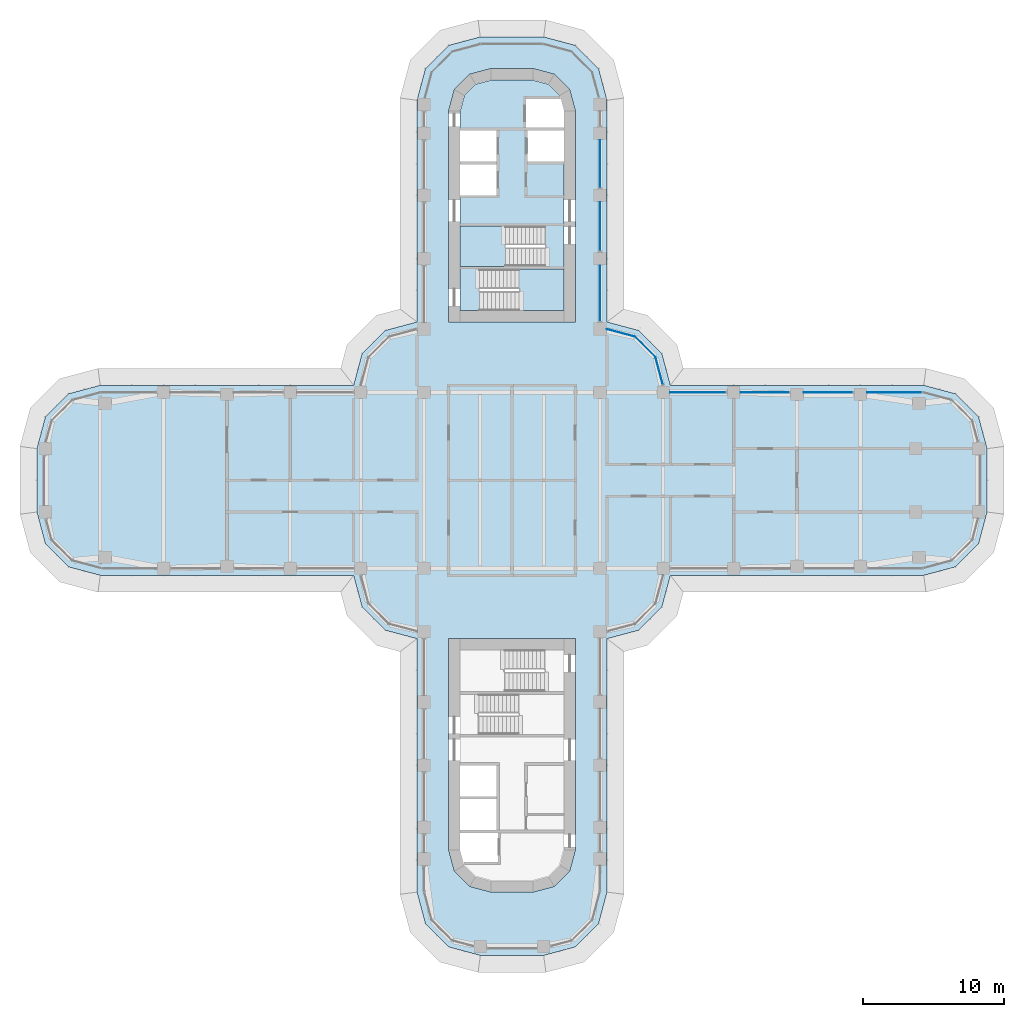
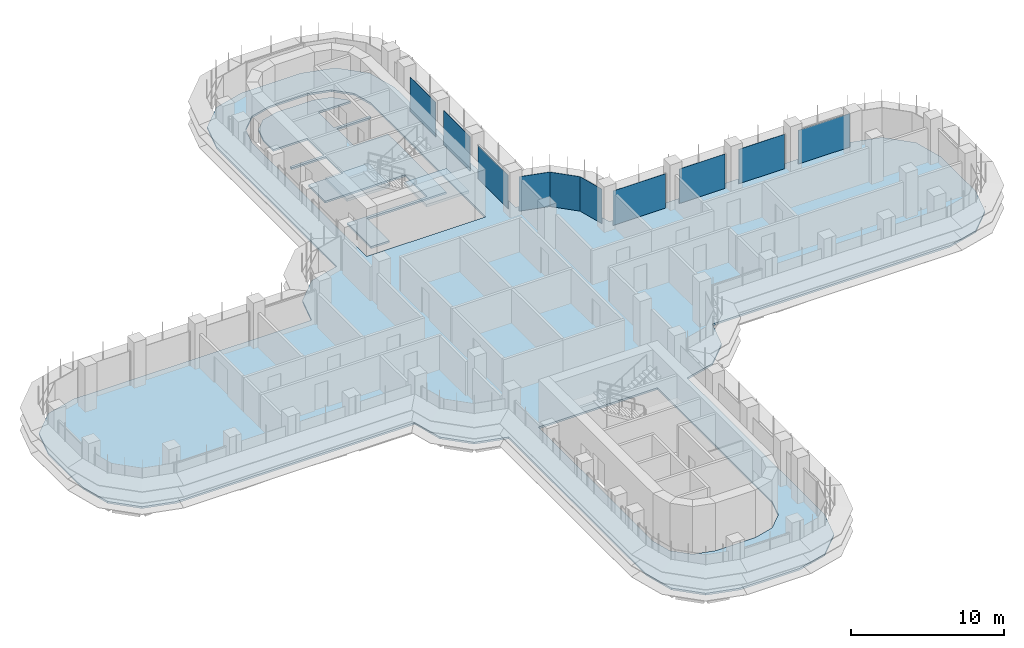
# One storey, part 14 of 22: 10 plates, 4 slabs, 7 elements without a shape of their own.
"""IFC4 building model written with IfcOpenShell, lengths in metres."""

import ifcopenshell
import ifcopenshell.guid

model = None  # the IFC model being written
_history = None  # IfcOwnerHistory: only IFC2X3 demands one
_inside = {}  # id of a spatial element -> (the spatial element, [elements in it])
_under = {}  # id of a project, library or spatial element -> (it, [spatial elements below it])
_declared = {}  # id of a project -> (the project, [libraries it declares])
_typed = {}  # id of a type object -> (the type object, [elements of that type])
_made_of = {}  # id of a material, layer set ... -> (it, [elements and type objects made of it])


def new_model(schema):
    """Start an empty IFC model of exactly this schema.

    Asked for "IFC4X3", IfcOpenShell would pick the latest addendum, in which some entities
    have other attributes; the version numbers below select the first issue.
    IFC2X3 requires an IfcOwnerHistory on every rooted entity: one is made here for all.
    """
    global model, _history
    if schema == "IFC4X3":
        model = ifcopenshell.file(schema_version=(4, 3, 0, 0))
    else:
        model = ifcopenshell.file(schema=schema)
    _inside.clear()
    _under.clear()
    _declared.clear()
    _typed.clear()
    _made_of.clear()
    _history = None
    if model.schema == "IFC2X3":
        org = make("IfcOrganization", Name="unknown")
        user = make(
            "IfcPersonAndOrganization",
            ThePerson=make("IfcPerson", FamilyName="unknown"),
            TheOrganization=org,
        )
        app = make(
            "IfcApplication",
            ApplicationDeveloper=org,
            Version="unknown",
            ApplicationFullName="unknown",
            ApplicationIdentifier="unknown",
        )
        _history = make(
            "IfcOwnerHistory",
            OwningUser=user,
            OwningApplication=app,
            ChangeAction="ADDED",
            CreationDate=0,
        )
    return model


def make(cls, **values):
    """One entity of the class cls with the attributes given. An attribute that is None is left unset."""
    return model.create_entity(
        cls, **{name: value for name, value in values.items() if value is not None}
    )


def rooted(cls, **values):
    """An entity with a GlobalId (a new one), such as an element, a storey or a relation."""
    return make(cls, GlobalId=ifcopenshell.guid.new(), OwnerHistory=_history, **values)


def si_unit(unit_type, name, prefix=None):
    """IfcSIUnit, for example si_unit("LENGTHUNIT", "METRE", prefix="MILLI")."""
    return make("IfcSIUnit", UnitType=unit_type, Prefix=prefix, Name=name)


def assignment(units):
    """IfcUnitAssignment: the units of a project."""
    return None if units is None else make("IfcUnitAssignment", Units=units)


def point(xyz):
    """IfcCartesianPoint."""
    return None if xyz is None else make("IfcCartesianPoint", Coordinates=xyz)


def direction(xyz):
    """IfcDirection."""
    return None if xyz is None else make("IfcDirection", DirectionRatios=xyz)


def frame(location, z_axis=None, x_axis=None):
    """IfcAxis2Placement3D, a coordinate frame: its origin and axes. An axis left out is left unset."""
    return make(
        "IfcAxis2Placement3D",
        Location=point(location),
        Axis=direction(z_axis),
        RefDirection=direction(x_axis),
    )


def origin():
    """The frame at (0, 0, 0) with its axes left unset."""
    return frame((0.0, 0.0, 0.0))


def place(relative_to, where):
    """IfcLocalPlacement: puts the frame where relative to a parent placement (None: the world)."""
    return make(
        "IfcLocalPlacement", PlacementRelTo=relative_to, RelativePlacement=where
    )


def context(
    kind, dimensions, precision=None, world=None, true_north=None, identifier=None
):
    """IfcGeometricRepresentationContext, for example the 3D "Model" context."""
    return make(
        "IfcGeometricRepresentationContext",
        ContextIdentifier=identifier,
        ContextType=kind,
        CoordinateSpaceDimension=dimensions,
        Precision=precision,
        WorldCoordinateSystem=world,
        TrueNorth=true_north,
    )


def subcontext(parent, identifier, kind, view, scale=None):
    """IfcGeometricRepresentationSubContext, for example "Body" below "Model"."""
    return make(
        "IfcGeometricRepresentationSubContext",
        ContextIdentifier=identifier,
        ContextType=kind,
        ParentContext=parent,
        TargetScale=scale,
        TargetView=view,
    )


def project(units=None, contexts=None):
    """IfcProject with its units and contexts."""
    return rooted(
        "IfcProject",
        Name="project",
        RepresentationContexts=contexts,
        UnitsInContext=assignment(units),
    )


def spatial(cls, under=None, at=None, **own):
    """A site, building, storey or space (cls), placed at a placement, below another one or the project."""
    s = rooted(cls, ObjectPlacement=at, **own)
    if under is not None:
        _under.setdefault(under.id(), (under, []))[1].append(s)
    return s


def polyline(points):
    """IfcPolyline through the points."""
    return make("IfcPolyline", Points=[point(p) for p in points])


def outline(outer, holes=None, kind="AREA"):
    """IfcArbitraryClosedProfileDef: a profile drawn as a closed curve; with holes, ...WithVoids."""
    if holes is None:
        return make("IfcArbitraryClosedProfileDef", ProfileType=kind, OuterCurve=outer)
    return make(
        "IfcArbitraryProfileDefWithVoids",
        ProfileType=kind,
        OuterCurve=outer,
        InnerCurves=holes,
    )


def extrude(swept, where, along, depth):
    """IfcExtrudedAreaSolid: the profile swept, set in the frame where, extruded along a direction by depth."""
    return make(
        "IfcExtrudedAreaSolid",
        SweptArea=swept,
        Position=where,
        ExtrudedDirection=direction(along),
        Depth=depth,
    )


def shape(context_of_items, identifier, shape_type, items):
    """IfcShapeRepresentation: the items that make up one representation, for example the "Body"."""
    return make(
        "IfcShapeRepresentation",
        ContextOfItems=context_of_items,
        RepresentationIdentifier=identifier,
        RepresentationType=shape_type,
        Items=items,
    )


def source(mapping_origin, context_of_items, identifier, shape_type, items):
    """IfcRepresentationMap: a shape defined once, which mapped items show again and again."""
    return make(
        "IfcRepresentationMap",
        MappingOrigin=mapping_origin,
        MappedRepresentation=shape(context_of_items, identifier, shape_type, items),
    )


def transform(
    local_origin,
    x_axis=None,
    y_axis=None,
    z_axis=None,
    scale=None,
    scale2=None,
    scale3=None,
    uniform=True,
):
    """IfcCartesianTransformationOperator3D, or its non-uniform kind. x_axis, y_axis, z_axis: its Axis1, 2, 3."""
    if uniform:
        return make(
            "IfcCartesianTransformationOperator3D",
            Axis1=direction(x_axis),
            Axis2=direction(y_axis),
            LocalOrigin=point(local_origin),
            Scale=scale,
            Axis3=direction(z_axis),
        )
    return make(
        "IfcCartesianTransformationOperator3DnonUniform",
        Axis1=direction(x_axis),
        Axis2=direction(y_axis),
        LocalOrigin=point(local_origin),
        Scale=scale,
        Axis3=direction(z_axis),
        Scale2=scale2,
        Scale3=scale3,
    )


def mapped(mapping_source, mapping_target):
    """IfcMappedItem: shows the shape of a source again, moved by a transform."""
    return make(
        "IfcMappedItem", MappingSource=mapping_source, MappingTarget=mapping_target
    )


def material(Name=None, Category=None):
    """IfcMaterial."""
    return make("IfcMaterial", Name=Name, Category=Category)


def layer(
    of_material, thickness, ventilated=None, Name=None, Category=None, Priority=None
):
    """IfcMaterialLayer: one layer of a wall or slab, of a material (None: an air gap)."""
    return make(
        "IfcMaterialLayer",
        Material=of_material,
        LayerThickness=thickness,
        IsVentilated=ventilated,
        Name=Name,
        Category=Category,
        Priority=Priority,
    )


def layer_set(layers, Name=None):
    """IfcMaterialLayerSet."""
    return make("IfcMaterialLayerSet", MaterialLayers=layers, LayerSetName=Name)


def made_of(thing, what):
    """Note that an element or type object is made of a material, layer set ...; save() writes the relation."""
    if what is not None:
        _made_of.setdefault(what.id(), (what, []))[1].append(thing)
    return thing


def type_object(cls, material=None, **own):
    """A type object (cls), such as IfcWallType, which elements share."""
    return made_of(rooted(cls, **own), material)


def element(
    cls,
    number,
    at=None,
    inside=None,
    cuts=None,
    type_object=None,
    material=None,
    context=None,
    identifier="Body",
    shape_type=None,
    held_by="IfcProductDefinitionShape",
    body=None,
    shapes=None,
    **own,
):
    """One element of the class cls, such as IfcWall. Its Tag is "e" and its number.

    at: its placement. inside: the storey or other place that contains it. cuts: it is an
    opening in that element (IfcRelVoidsElement). A single representation is given by context,
    identifier, shape_type and body (its items); several are given by shapes. held_by: the class
    of the entity that holds the representations. save() writes the other relations.
    """
    e = rooted(cls, Tag="e%d" % number, ObjectPlacement=at, **own)
    if body is not None:
        shapes = [shape(context, identifier, shape_type, body)]
    if shapes is not None:
        e.Representation = make(held_by, Representations=shapes)
    if inside is not None:
        _inside.setdefault(inside.id(), (inside, []))[1].append(e)
    if cuts is not None:
        rooted(
            "IfcRelVoidsElement", RelatingBuildingElement=cuts, RelatedOpeningElement=e
        )
    if type_object is not None:
        _typed.setdefault(type_object.id(), (type_object, []))[1].append(e)
    return made_of(e, material)


def aggregate(whole, parts):
    """IfcRelAggregates: a whole, such as a stair, and the parts it consists of."""
    return rooted("IfcRelAggregates", RelatingObject=whole, RelatedObjects=parts)


def save(model, path):
    """Write the relations noted so far, then the file.

    IfcRelAggregates (storeys below a building ...), IfcRelContainedInSpatialStructure (elements
    in a storey), IfcRelDefinesByType, IfcRelAssociatesMaterial and IfcRelDeclares: one each for
    every whole, place, type object, material and project.
    """
    for whole, parts in _under.values():
        aggregate(whole, parts)
    for where, things in _inside.values():
        rooted(
            "IfcRelContainedInSpatialStructure",
            RelatedElements=things,
            RelatingStructure=where,
        )
    for kind, things in _typed.values():
        rooted("IfcRelDefinesByType", RelatedObjects=things, RelatingType=kind)
    for what, things in _made_of.values():
        rooted("IfcRelAssociatesMaterial", RelatedObjects=things, RelatingMaterial=what)
    for by, libraries in _declared.values():
        rooted("IfcRelDeclares", RelatingContext=by, RelatedDefinitions=libraries)
    model.write(path)


model = new_model("IFC4")

# Units and contexts
model_context = context("Model", 3, precision=1e-05, world=origin(), true_north=direction((0.0, 1.0)))
body_context = subcontext(model_context, "Body", "Model", "MODEL_VIEW")
ifc_project = project(units=[si_unit("LENGTHUNIT", "METRE"), si_unit("AREAUNIT", "SQUARE_METRE"), si_unit("VOLUMEUNIT", "CUBIC_METRE"), si_unit("PLANEANGLEUNIT", "RADIAN"), si_unit("MASSUNIT", "GRAM", prefix="KILO")], contexts=[model_context])

# Site, building, storey
site_placement = place(None, origin())
site = spatial("IfcSite", under=ifc_project, at=site_placement, CompositionType="ELEMENT")
building_placement = place(site_placement, origin())
building = spatial("IfcBuilding", under=site, at=building_placement, Name="Zarbagh Exchange Tower", CompositionType="ELEMENT")
storey_placement = place(building_placement, frame((0.0, 0.0, 113.199951171875)))
storey = spatial("IfcBuildingStorey", under=building, at=storey_placement, Name="L26", CompositionType="ELEMENT", Elevation=113.199951171875)

# Slabs
ifc_material_1 = material(Name="Concrete C40/50", Category="concrete")
ifc_layer_1 = layer(ifc_material_1, 0.14990234375)
ifc_layer_set_1 = layer_set([ifc_layer_1], Name="Composite floor slab 150 C40/50")
slab_type_1 = type_object("IfcSlabType", Name="Composite floor slab 150 C40/50", PredefinedType="FLOOR", material=ifc_layer_set_1)
slab_1_placement = place(storey_placement, frame((0.0, 0.0, -0.14990234375)))
element("IfcSlab", 1, at=slab_1_placement, inside=storey, type_object=slab_type_1, Name="S5 composite floor slab", PredefinedType="FLOOR", context=body_context, shape_type="SweptSolid", body=[
    extrude(outline(polyline([(-2.25, -33.75), (-4.5, -33.147216796875), (-6.147216796875, -31.5), (-6.75, -29.25), (-6.75, -11.25), (-9.0, -10.647216796875), (-10.647216796875, -9.0), (-11.25, -6.75), (-29.25, -6.75), (-31.5, -6.147216796875), (-33.147216796875, -4.5), (-33.75, -2.25), (-33.75, 2.25), (-33.147216796875, 4.5), (-31.5, 6.147216796875), (-29.25, 6.75), (-11.25, 6.75), (-10.647216796875, 9.0), (-9.0, 10.647216796875), (-6.75, 11.25), (-6.75, 27.0), (-6.147216796875, 29.25), (-4.5, 30.897216796875), (-2.25, 31.5), (2.25, 31.5), (4.5, 30.897216796875), (6.147216796875, 29.25), (6.75, 27.0), (6.75, 11.25), (9.0, 10.647216796875), (10.647216796875, 9.0), (11.25, 6.75), (29.25, 6.75), (31.5, 6.147216796875), (33.147216796875, 4.5), (33.75, 2.25), (33.75, -2.25), (33.147216796875, -4.5), (31.5, -6.147216796875), (29.25, -6.75), (11.25, -6.75), (10.647216796875, -9.0), (9.0, -10.647216796875), (6.75, -11.25), (6.75, -29.25), (6.147216796875, -31.5), (4.5, -33.147216796875), (2.25, -33.75), (-2.25, -33.75)]), holes=[polyline([(4.5, 11.25), (4.5, 26.25), (4.09814453125, 27.75), (3.0, 28.84814453125), (1.5, 29.25), (-1.5, 29.25), (-3.0, 28.84814453125), (-4.09814453125, 27.75), (-4.5, 26.25), (-4.5, 11.25), (4.5, 11.25)]), polyline([(-1.5, -29.25), (1.5, -29.25), (3.0, -28.84814453125), (4.09814453125, -27.75), (4.5, -26.25), (4.5, -11.25), (-4.5, -11.25), (-4.5, -26.25), (-4.09814453125, -27.75), (-3.0, -28.84814453125), (-1.5, -29.25)])]), origin(), (0.0, 0.0, 1.0), 0.14990234375),
])
ifc_layer_2 = layer(ifc_material_1, 0.14990234375)
ifc_layer_set_2 = layer_set([ifc_layer_2], Name="Core floor slab 150 C40/50")
slab_type_2 = type_object("IfcSlabType", Name="Core floor slab 150 C40/50", PredefinedType="FLOOR", material=ifc_layer_set_2)
slab_2_placement = place(storey_placement, frame((0.0, 0.0, -0.14990234375)))
element("IfcSlab", 2, at=slab_2_placement, inside=storey, type_object=slab_type_2, Name="S17 core N", PredefinedType="FLOOR", context=body_context, shape_type="SweptSolid", body=[
    extrude(outline(polyline([(-3.699951171875, 12.050048828125), (-3.699951171875, 15.199951171875), (2.35009765625, 15.199951171875), (2.35009765625, 18.050048828125), (-3.699951171875, 18.050048828125), (-3.699951171875, 20.25), (-1.10009765625, 20.25), (-1.10009765625, 22.449951171875), (-3.699951171875, 22.449951171875), (-3.699951171875, 22.64990234375), (-1.10009765625, 22.64990234375), (-1.10009765625, 24.85009765625), (-3.699951171875, 24.85009765625), (-3.699951171875, 26.144775390625), (-3.380859375, 27.3359375), (-2.5859375, 28.130859375), (-1.394775390625, 28.449951171875), (1.394775390625, 28.449951171875), (2.5859375, 28.130859375), (3.380859375, 27.3359375), (3.646484375, 26.3447265625), (3.444091796875, 27.10009765625), (1.0, 27.10009765625), (1.0, 25.050048828125), (3.699951171875, 25.050048828125), (3.699951171875, 24.85009765625), (1.10009765625, 24.85009765625), (1.10009765625, 22.64990234375), (3.699951171875, 22.64990234375), (3.699951171875, 15.0), (-2.300048828125, 15.0), (-2.300048828125, 12.050048828125), (-3.699951171875, 12.050048828125)])), origin(), (0.0, 0.0, 1.0), 0.14990234375),
])

# Stair, slab
stair_type = type_object("IfcStairType", Name="Exit stair two-flight half-turn", PredefinedType="HALF_TURN_STAIR", material=ifc_material_1)
stair_1_placement = place(storey_placement, origin())
stair_1 = element("IfcStair", 3, at=stair_1_placement, inside=storey, type_object=stair_type, Name="exit stair ST1", PredefinedType="HALF_TURN_STAIR")
ifc_layer_3 = layer(ifc_material_1, 0.199951171875)
ifc_layer_set_3 = layer_set([ifc_layer_3], Name="Stair landing 200 mm")
slab_type_3 = type_object("IfcSlabType", Name="Stair landing 200 mm", PredefinedType="LANDING", material=ifc_layer_set_3)
slab_3_placement = place(storey_placement, frame((0.0, 0.0, 1.699951171875)))
slab_3 = element("IfcSlab", 4, at=slab_3_placement, type_object=slab_type_3, Name="ST1 landing 1", PredefinedType="LANDING", context=body_context, shape_type="SweptSolid", body=[
    extrude(outline(polyline([(-0.449951171875, 18.050048828125), (-3.699951171875, 18.050048828125), (-3.699951171875, 15.199951171875), (-0.449951171875, 15.199951171875), (-0.449951171875, 18.050048828125)])), origin(), (0.0, 0.0, 1.0), 0.2001953125),
])
aggregate(stair_1, [slab_3])

stair_2_placement = place(storey_placement, origin())
stair_2 = element("IfcStair", 5, at=stair_2_placement, inside=storey, type_object=stair_type, Name="exit stair ST2", PredefinedType="HALF_TURN_STAIR")
slab_4_placement = place(storey_placement, frame((0.0, 0.0, 1.699951171875)))
slab_4 = element("IfcSlab", 6, at=slab_4_placement, type_object=slab_type_3, Name="ST2 landing 1", PredefinedType="LANDING", context=body_context, shape_type="SweptSolid", body=[
    extrude(outline(polyline([(0.5, 12.050048828125), (3.699951171875, 12.050048828125), (3.699951171875, 15.0), (0.5, 15.0), (0.5, 12.050048828125)])), origin(), (0.0, 0.0, 1.0), 0.2001953125),
])
aggregate(stair_2, [slab_4])

# Curtain wall, plate
ifc_material_2 = material(Name="Anodised aluminium frame and glazing", Category="aluminium")
curtain_wall_type = type_object("IfcCurtainWallType", Name="CWA Ribbon glazing, lower zones", PredefinedType="NOTDEFINED", material=ifc_material_2)
curtain_wall_1_placement = place(storey_placement, origin())
curtain_wall_1 = element("IfcCurtainWall", 7, at=curtain_wall_1_placement, inside=storey, type_object=curtain_wall_type, Name="CWA18 curtain wall", PredefinedType="NOTDEFINED")
ifc_material_3 = material(Name="Low-e double glazed unit, 6+12+6 mm")
ifc_layer_4 = layer(ifc_material_3, 0.028076171875)
ifc_layer_set_4 = layer_set([ifc_layer_4], Name="PAA Glazing panel, Low-e double glazed unit, 6+12+6 mm")
plate_type = type_object("IfcPlateType", Name="PAA Glazing panel, Low-e double glazed unit, 6+12+6 mm", PredefinedType="CURTAIN_PANEL", material=ifc_layer_set_4)
shared_shape_1 = source(origin(), body_context, "Body", "SweptSolid", [
    extrude(outline(polyline([(0.0, -0.013916015625), (2.061279296875, -0.013916015625), (2.061279296875, 0.013916015625), (0.0, 0.013916015625), (0.0, -0.013916015625)])), origin(), (0.0, 0.0, 1.0), 2.75),
])
placement = place(storey_placement, origin())
plate_1 = element("IfcPlate", 8, at=placement, type_object=plate_type, Name="CWA18 glazing panel 1.1", PredefinedType="CURTAIN_PANEL", context=body_context, shape_type="MappedRepresentation", body=[
    mapped(shared_shape_1, transform((10.19873046875, 8.7412109375, 0.0), x_axis=(-0.707106781187, 0.707106781187, 0.0), y_axis=(-0.707106781187, -0.707106781187, 0.0), z_axis=(0.0, 0.0, 1.0))),
])
aggregate(curtain_wall_1, [plate_1])

curtain_wall_2_placement = place(storey_placement, origin())
curtain_wall_2 = element("IfcCurtainWall", 9, at=curtain_wall_2_placement, inside=storey, type_object=curtain_wall_type, Name="CWA49 curtain wall", PredefinedType="NOTDEFINED")
shared_shape_2 = source(origin(), body_context, "Body", "SweptSolid", [
    extrude(outline(polyline([(0.0, -0.013916015625), (3.360107421875, -0.013916015625), (3.360107421875, 0.013916015625), (0.0, 0.013916015625), (0.0, -0.013916015625)])), origin(), (0.0, 0.0, 1.0), 2.75),
])
plate_2 = element("IfcPlate", 10, at=placement, type_object=plate_type, Name="CWA49 glazing panel 3.1", PredefinedType="CURTAIN_PANEL", context=body_context, shape_type="MappedRepresentation", body=[
    mapped(shared_shape_2, transform((6.25, 20.800048828125, 0.0), x_axis=(0.0, 1.0, 0.0), y_axis=(-1.0, 0.0, 0.0), z_axis=(0.0, 0.0, 1.0))),
])

# Curtain wall, plates
curtain_wall_3_placement = place(storey_placement, origin())
curtain_wall_3 = element("IfcCurtainWall", 11, at=curtain_wall_3_placement, inside=storey, type_object=curtain_wall_type, Name="CWA16 curtain wall", PredefinedType="NOTDEFINED")
shared_shape_3 = source(origin(), body_context, "Body", "SweptSolid", [
    extrude(outline(polyline([(0.0, -0.013916015625), (3.4599609375, -0.013916015625), (3.4599609375, 0.013916015625), (0.0, 0.013916015625), (0.0, -0.013916015625)])), origin(), (0.0, 0.0, 1.0), 2.75),
])
plate_3 = element("IfcPlate", 12, at=placement, type_object=plate_type, Name="CWA16 glazing panel 2.1", PredefinedType="CURTAIN_PANEL", context=body_context, shape_type="MappedRepresentation", body=[
    mapped(shared_shape_3, transform((24.199951171875, 6.25, 0.0), x_axis=(-1.0, 0.0, 0.0), y_axis=(0.0, -1.0, 0.0), z_axis=(0.0, 0.0, 1.0))),
])
plate_4 = element("IfcPlate", 13, at=placement, type_object=plate_type, Name="CWA16 glazing panel 3.1", PredefinedType="CURTAIN_PANEL", context=body_context, shape_type="MappedRepresentation", body=[
    mapped(shared_shape_3, transform((19.699951171875, 6.25, 0.0), x_axis=(-1.0, 0.0, 0.0), y_axis=(0.0, -1.0, 0.0), z_axis=(0.0, 0.0, 1.0))),
])

# Plate
plate_5 = element("IfcPlate", 14, at=placement, type_object=plate_type, Name="CWA49 glazing panel 2.1", PredefinedType="CURTAIN_PANEL", context=body_context, shape_type="MappedRepresentation", body=[
    mapped(shared_shape_3, transform((6.25, 16.300048828125, 0.0), x_axis=(0.0, 1.0, 0.0), y_axis=(-1.0, 0.0, 0.0), z_axis=(0.0, 0.0, 1.0))),
])

shared_shape_4 = source(origin(), body_context, "Body", "SweptSolid", [
    extrude(outline(polyline([(0.0, -0.013916015625), (3.9599609375, -0.013916015625), (3.9599609375, 0.013916015625), (0.0, 0.013916015625), (0.0, -0.013916015625)])), origin(), (0.0, 0.0, 1.0), 2.75),
])
plate_6 = element("IfcPlate", 15, at=placement, type_object=plate_type, Name="CWA16 glazing panel 4.1", PredefinedType="CURTAIN_PANEL", context=body_context, shape_type="MappedRepresentation", body=[
    mapped(shared_shape_4, transform((15.199951171875, 6.25, 0.0), x_axis=(-1.0, 0.0, 0.0), y_axis=(0.0, -1.0, 0.0), z_axis=(0.0, 0.0, 1.0))),
])

# Curtain wall, plate
curtain_wall_4_placement = place(storey_placement, origin())
curtain_wall_4 = element("IfcCurtainWall", 16, at=curtain_wall_4_placement, inside=storey, type_object=curtain_wall_type, Name="CWA17 curtain wall", PredefinedType="NOTDEFINED")
shared_shape_5 = source(origin(), body_context, "Body", "SweptSolid", [
    extrude(outline(polyline([(0.0, -0.013916015625), (2.01171875, -0.013916015625), (2.01171875, 0.013916015625), (0.0, 0.013916015625), (0.0, -0.013916015625)])), origin(), (0.0, 0.0, 1.0), 2.75),
])
plate_7 = element("IfcPlate", 17, at=placement, type_object=plate_type, Name="CWA17 glazing panel 1.1", PredefinedType="CURTAIN_PANEL", context=body_context, shape_type="MappedRepresentation", body=[
    mapped(shared_shape_5, transform((10.719482421875, 6.7978515625, 0.0), x_axis=(-0.258824779902, 0.965924289636, 0.0), y_axis=(-0.965924289636, -0.258824779902, 0.0), z_axis=(0.0, 0.0, 1.0))),
])
aggregate(curtain_wall_4, [plate_7])

curtain_wall_5_placement = place(storey_placement, origin())
curtain_wall_5 = element("IfcCurtainWall", 18, at=curtain_wall_5_placement, inside=storey, type_object=curtain_wall_type, Name="CWA19 curtain wall", PredefinedType="NOTDEFINED")
shared_shape_6 = source(origin(), body_context, "Body", "SweptSolid", [
    extrude(outline(polyline([(0.0, -0.013916015625), (2.07177734375, -0.013916015625), (2.07177734375, 0.013916015625), (0.0, 0.013916015625), (0.0, -0.013916015625)])), origin(), (0.0, 0.0, 1.0), 2.75),
])
plate_8 = element("IfcPlate", 19, at=placement, type_object=plate_type, Name="CWA19 glazing panel 1.1", PredefinedType="CURTAIN_PANEL", context=body_context, shape_type="MappedRepresentation", body=[
    mapped(shared_shape_6, transform((8.7412109375, 10.19873046875, 0.0), x_axis=(-0.965924289636, 0.258824779902, 0.0), y_axis=(-0.258824779902, -0.965924289636, 0.0), z_axis=(0.0, 0.0, 1.0))),
])
aggregate(curtain_wall_5, [plate_8])

# Plate
shared_shape_7 = source(origin(), body_context, "Body", "SweptSolid", [
    extrude(outline(polyline([(0.0, -0.013916015625), (3.9599609375, -0.013916015625), (3.9599609375, 0.013916015625), (0.0, 0.013916015625), (0.0, -0.013916015625)])), origin(), (0.0, 0.0, 1.0), 2.68994140625),
])
plate_9 = element("IfcPlate", 20, at=placement, type_object=plate_type, Name="CWA49 glazing panel 1.1", PredefinedType="CURTAIN_PANEL", context=body_context, shape_type="MappedRepresentation", body=[
    mapped(shared_shape_7, transform((6.25, 11.300048828125, 0.0), x_axis=(0.0, 1.0, 0.0), y_axis=(-1.0, 0.0, 0.0), z_axis=(0.0, 0.0, 1.0))),
])

aggregate(curtain_wall_2, [plate_9, plate_5, plate_2])

shared_shape_8 = source(origin(), body_context, "Body", "SweptSolid", [
    extrude(outline(polyline([(0.0, -0.013916015625), (3.88427734375, -0.013916015625), (3.88427734375, 0.013916015625), (0.0, 0.013916015625), (0.0, -0.013916015625)])), origin(), (0.0, 0.0, 1.0), 2.68994140625),
])
plate_10 = element("IfcPlate", 21, at=placement, type_object=plate_type, Name="CWA16 glazing panel 1.1", PredefinedType="CURTAIN_PANEL", context=body_context, shape_type="MappedRepresentation", body=[
    mapped(shared_shape_8, transform((29.124267578125, 6.25, 0.0), x_axis=(-1.0, 0.0, 0.0), y_axis=(0.0, -1.0, 0.0), z_axis=(0.0, 0.0, 1.0))),
])

aggregate(curtain_wall_3, [plate_10, plate_3, plate_4, plate_6])

save(model, "model.ifc")
